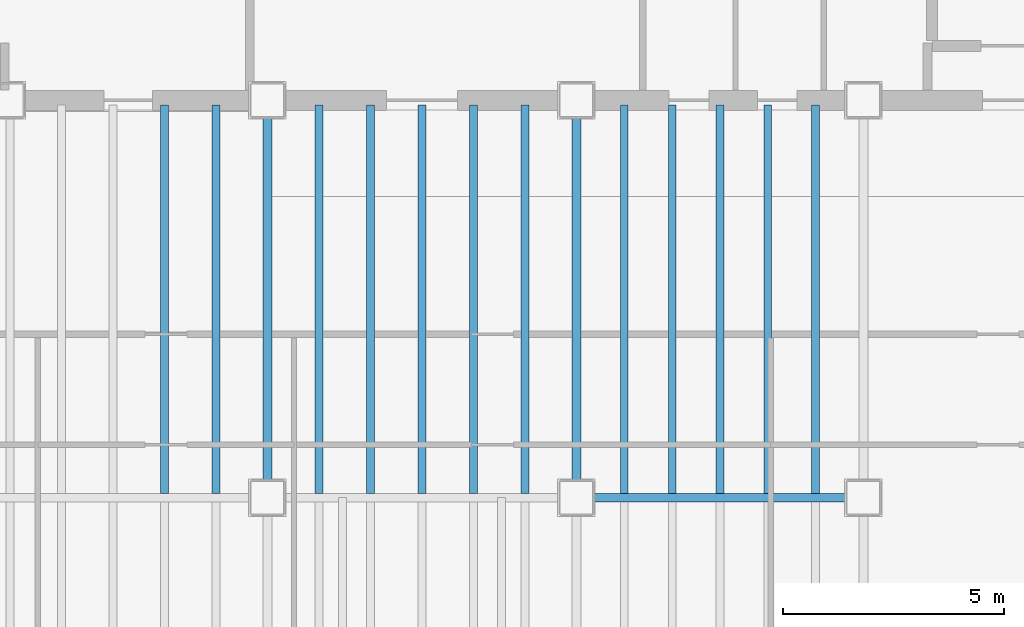
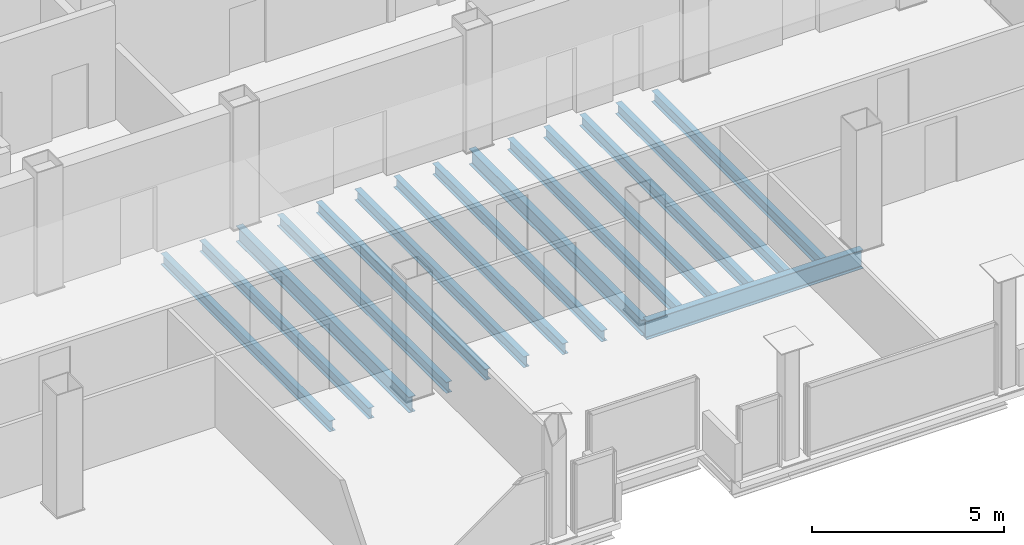
# One storey, part 7 of 16: 15 beams.
"""IFC4 building model written with IfcOpenShell, lengths in metres."""

from ifc_helpers import new_model, si_unit, direction, frame, origin, origin_2d, place, context, subcontext, project, spatial, i_section, extrude, material, material_profile, profile_set, type_object, element, save


model = new_model("IFC4")

# Units and contexts
model_context = context("Model", 3, precision=1e-05, world=origin(), true_north=direction((0.0, 1.0)))
body_context = subcontext(model_context, "Body", "Model", "MODEL_VIEW")
ifc_project = project(units=[si_unit("LENGTHUNIT", "METRE"), si_unit("AREAUNIT", "SQUARE_METRE"), si_unit("VOLUMEUNIT", "CUBIC_METRE"), si_unit("PLANEANGLEUNIT", "RADIAN"), si_unit("MASSUNIT", "GRAM", prefix="KILO")], contexts=[model_context])

# Site, building, storey
site_placement = place(None, origin())
site = spatial("IfcSite", under=ifc_project, at=site_placement, CompositionType="ELEMENT")
building_placement = place(site_placement, origin())
building = spatial("IfcBuilding", under=site, at=building_placement, Name="Noeulbin Bourse Tower", CompositionType="ELEMENT")
storey_placement = place(building_placement, frame((0.0, 0.0, 254.0)))
storey = spatial("IfcBuildingStorey", under=building, at=storey_placement, Name="L63", CompositionType="ELEMENT", Elevation=254.0)

# Beams
ifc_material = material(Name="Steel S355", Category="steel")
ifc_material_profile_1 = material_profile(ifc_material, i_section(OverallWidth=0.199951171875, OverallDepth=0.5, WebThickness=0.010009765625, FlangeThickness=0.01611328125, FilletRadius=0.02001953125, at=origin_2d()), Name="H-500x200x10x16", Category="LoadBearing")
ifc_profile_set_1 = profile_set([ifc_material_profile_1], Name="Steel S355")
beam_type_1 = type_object("IfcBeamType", Name="BM-GRD-500", PredefinedType="USERDEFINED", material=ifc_profile_set_1)
for number, where, z_axis, x_axis, name in (
    (1, (24.0, 20.0, -0.429931640625), (0.0, 1.0, 0.0), (-1.0, 0.0, 0.0), "Tower Primary Girder NS L63-2.2"),
    (2, (31.0, 20.0, -0.429931640625), (0.0, 1.0, 0.0), (-1.0, 0.0, 0.0), "Tower Primary Girder NS L63-3.2"),
):
    element("IfcBeam", number, at=place(storey_placement, frame(where, z_axis=z_axis, x_axis=x_axis)), inside=storey, type_object=beam_type_1, Name=name, ObjectType="GIRDER", PredefinedType="USERDEFINED", context=body_context, shape_type="SweptSolid", body=[
        extrude(i_section(OverallWidth=0.199951171875, OverallDepth=0.5, WebThickness=0.010009765625, FlangeThickness=0.01611328125, FilletRadius=0.02001953125, at=origin_2d()), origin(), (0.0, 0.0, 1.0), 9.0),
    ])
ifc_material_profile_2 = material_profile(ifc_material, i_section(OverallWidth=0.199951171875, OverallDepth=0.60009765625, WebThickness=0.010986328125, FlangeThickness=0.01708984375, FilletRadius=0.02197265625, at=origin_2d()), Name="H-600x200x11x17", Category="LoadBearing")
ifc_profile_set_2 = profile_set([ifc_material_profile_2], Name="Steel S355")
beam_type_2 = type_object("IfcBeamType", Name="BM-GRD-600", PredefinedType="USERDEFINED", material=ifc_profile_set_2)
beam_placement = place(storey_placement, frame((31.0, 20.0, -0.47998046875), z_axis=(1.0, 0.0, 0.0), x_axis=(0.0, 1.0, 0.0)))
element("IfcBeam", 3, at=beam_placement, inside=storey, type_object=beam_type_2, Name="Tower Primary Girder EW L63-1.4", ObjectType="GIRDER", PredefinedType="USERDEFINED", context=body_context, shape_type="SweptSolid", body=[
    extrude(i_section(OverallWidth=0.199951171875, OverallDepth=0.60009765625, WebThickness=0.010986328125, FlangeThickness=0.01708984375, FilletRadius=0.02197265625, at=origin_2d()), origin(), (0.0, 0.0, 1.0), 6.5),
])
ifc_material_profile_3 = material_profile(ifc_material, i_section(OverallWidth=0.175048828125, OverallDepth=0.35009765625, WebThickness=0.007080078125, FlangeThickness=0.010986328125, FilletRadius=0.013916015625, at=origin_2d()), Name="H-350x175x7x11", Category="LoadBearing")
ifc_profile_set_3 = profile_set([ifc_material_profile_3], Name="Steel S355")
beam_type_3 = type_object("IfcBeamType", Name="BM-JST-350", PredefinedType="JOIST", material=ifc_profile_set_3)
for number, where, z_axis, x_axis, name in (
    (4, (21.666748046875, 20.10009765625, -0.35498046875), (0.0, 1.0, 0.0), (-1.0, 0.0, 0.0), "Tower Composite Joist L63-14"),
    (5, (22.833251953125, 20.10009765625, -0.35498046875), (0.0, 1.0, 0.0), (-1.0, 0.0, 0.0), "Tower Composite Joist L63-16"),
    (6, (25.166748046875, 20.10009765625, -0.35498046875), (0.0, 1.0, 0.0), (-1.0, 0.0, 0.0), "Tower Composite Joist L63-18"),
    (7, (26.333251953125, 20.10009765625, -0.35498046875), (0.0, 1.0, 0.0), (-1.0, 0.0, 0.0), "Tower Composite Joist L63-20"),
    (8, (27.5, 20.10009765625, -0.35498046875), (0.0, 1.0, 0.0), (-1.0, 0.0, 0.0), "Tower Composite Joist L63-22"),
    (9, (28.666748046875, 20.10009765625, -0.35498046875), (0.0, 1.0, 0.0), (-1.0, 0.0, 0.0), "Tower Composite Joist L63-24"),
    (10, (29.833251953125, 20.10009765625, -0.35498046875), (0.0, 1.0, 0.0), (-1.0, 0.0, 0.0), "Tower Composite Joist L63-26"),
    (11, (32.083251953125, 20.10009765625, -0.35498046875), (0.0, 1.0, 0.0), (-1.0, 0.0, 0.0), "Tower Composite Joist L63-28"),
    (12, (33.166748046875, 20.10009765625, -0.35498046875), (0.0, 1.0, 0.0), (-1.0, 0.0, 0.0), "Tower Composite Joist L63-30"),
    (13, (34.25, 20.10009765625, -0.35498046875), (0.0, 1.0, 0.0), (-1.0, 0.0, 0.0), "Tower Composite Joist L63-32"),
    (14, (35.333251953125, 20.10009765625, -0.35498046875), (0.0, 1.0, 0.0), (-1.0, 0.0, 0.0), "Tower Composite Joist L63-34"),
    (15, (36.416748046875, 20.10009765625, -0.35498046875), (0.0, 1.0, 0.0), (-1.0, 0.0, 0.0), "Tower Composite Joist L63-36"),
):
    element("IfcBeam", number, at=place(storey_placement, frame(where, z_axis=z_axis, x_axis=x_axis)), inside=storey, type_object=beam_type_3, Name=name, PredefinedType="JOIST", context=body_context, shape_type="SweptSolid", body=[
        extrude(i_section(OverallWidth=0.175048828125, OverallDepth=0.35009765625, WebThickness=0.007080078125, FlangeThickness=0.010986328125, FilletRadius=0.013916015625, at=origin_2d()), origin(), (0.0, 0.0, 1.0), 8.7998046875),
    ])

save(model, "model.ifc")
